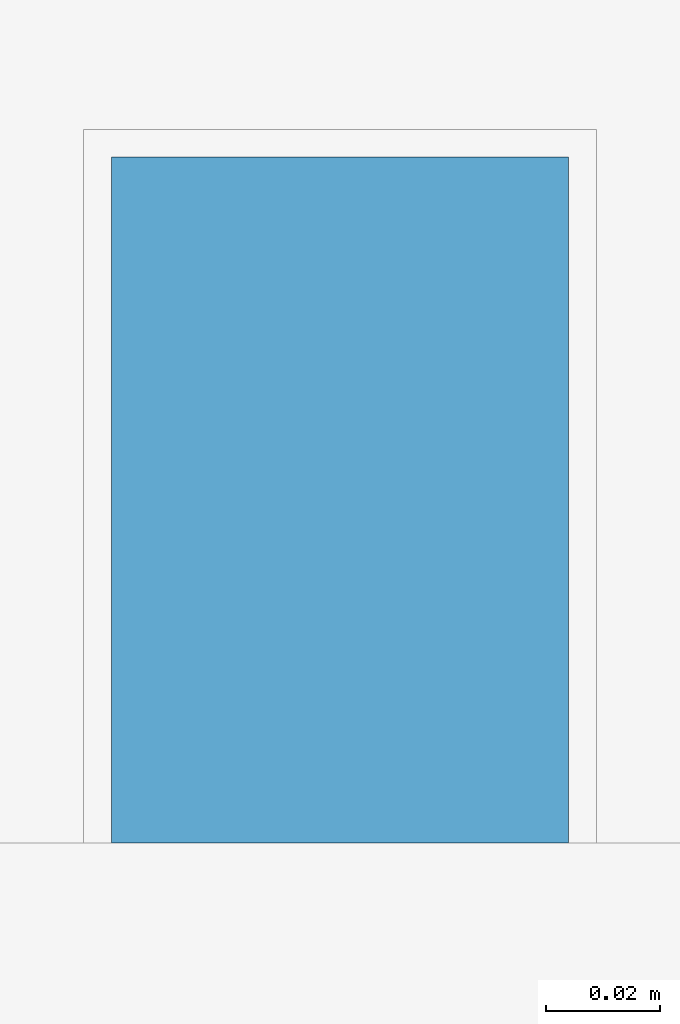
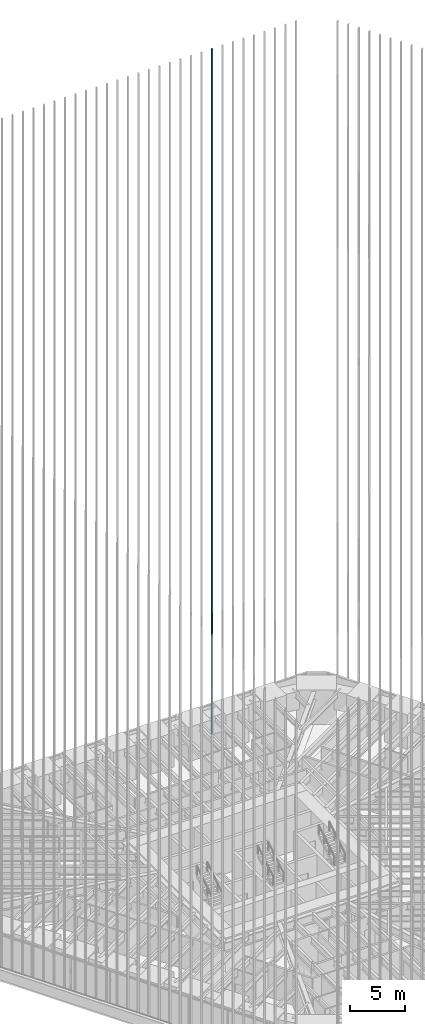
# One storey, part 208 of 238: 1 member, 1 element without a shape of its own.
"""IFC4 building model written with IfcOpenShell, lengths in metres."""

from ifc_helpers import new_model, si_unit, direction, frame, origin, origin_2d, place, context, subcontext, project, spatial, rectangle, extrude, material, material_profile, profile_set, type_object, element, aggregate, save


model = new_model("IFC4")

# Units and contexts
model_context = context("Model", 3, precision=1e-05, world=origin(), true_north=direction((0.0, 1.0)))
body_context = subcontext(model_context, "Body", "Model", "MODEL_VIEW")
ifc_project = project(units=[si_unit("LENGTHUNIT", "METRE"), si_unit("AREAUNIT", "SQUARE_METRE"), si_unit("VOLUMEUNIT", "CUBIC_METRE"), si_unit("PLANEANGLEUNIT", "RADIAN"), si_unit("MASSUNIT", "GRAM", prefix="KILO")], contexts=[model_context])

# Site, building, storey
site_placement = place(None, origin())
site = spatial("IfcSite", under=ifc_project, at=site_placement, CompositionType="ELEMENT")
building_placement = place(site_placement, origin())
building = spatial("IfcBuilding", under=site, at=building_placement, Name="Sandreach Pilgrim Tower", CompositionType="ELEMENT")
storey_placement = place(building_placement, frame((0.0, 0.0, 96.800048828125)))
storey = spatial("IfcBuildingStorey", under=building, at=storey_placement, Name="L23", CompositionType="ELEMENT", Elevation=96.800048828125)

# Curtain wall, member
ifc_material_1 = material(Name="Aluminium framed curtain wall", Category="aluminium")
curtain_wall_type = type_object("IfcCurtainWallType", Name="Hotel tower curtain wall", PredefinedType="NOTDEFINED", material=ifc_material_1)
curtain_wall_placement = place(storey_placement, origin())
curtain_wall = element("IfcCurtainWall", 1, at=curtain_wall_placement, inside=storey, type_object=curtain_wall_type, Name="CW-2 L23 N", PredefinedType="NOTDEFINED")
ifc_material_2 = material(Name="Extruded terracotta on aluminium core", Category="masonry")
ifc_material_profile = material_profile(ifc_material_2, rectangle(XDim=0.080078125, YDim=0.1201171875, at=origin_2d()), Name="TBN 80X120")
ifc_profile_set = profile_set([ifc_material_profile], Name="Extruded terracotta on aluminium core")
member_type = type_object("IfcMemberType", Name="Terracotta baguette north", PredefinedType="USERDEFINED", material=ifc_profile_set)
member_placement = place(storey_placement, frame((8.794921875, 22.853759765625, 0.0), z_axis=(0.0, 0.0, 1.0), x_axis=(1.0, 0.0, 0.0)))
member = element("IfcMember", 2, at=member_placement, type_object=member_type, Name="Baguette Z2 N25", ObjectType="BAGUETTE", PredefinedType="USERDEFINED", context=body_context, shape_type="SweptSolid", body=[
    extrude(rectangle(XDim=0.080078125, YDim=0.1201171875, at=origin_2d()), origin(), (0.0, 0.0, 1.0), 75.83984375),
])
aggregate(curtain_wall, [member])

save(model, "model.ifc")
